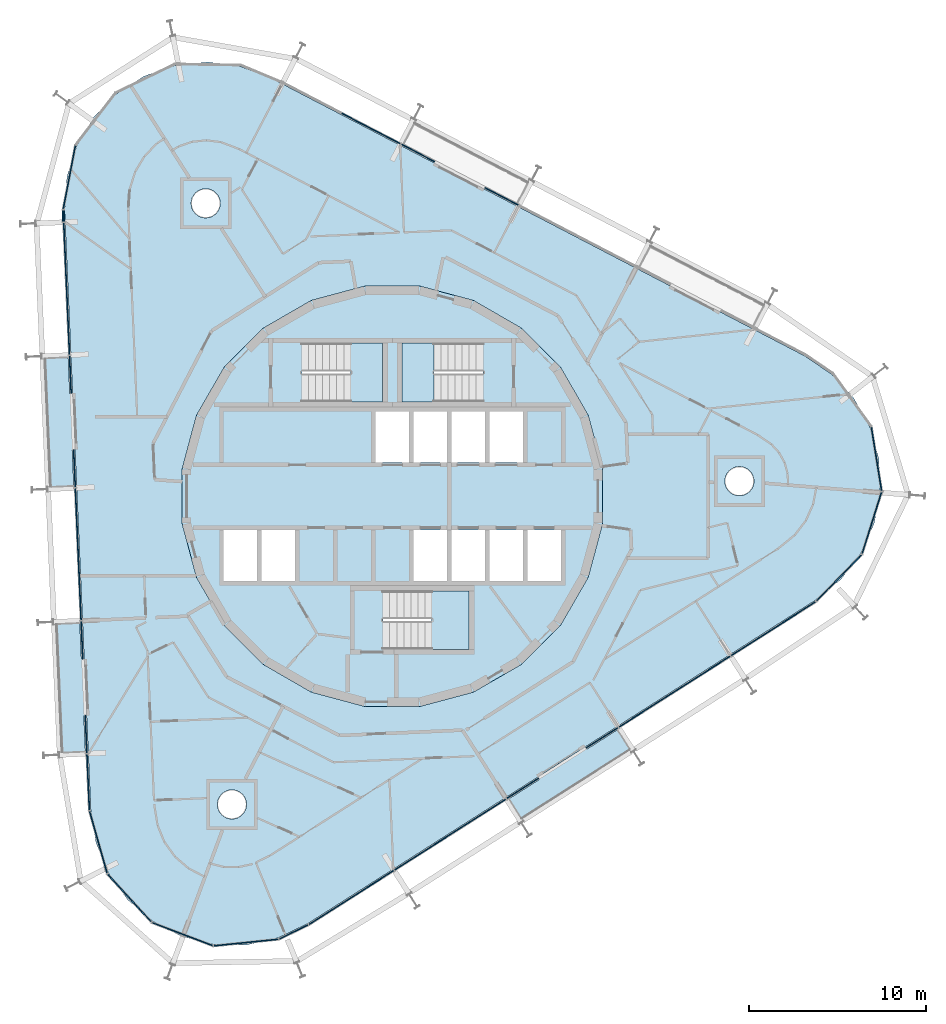
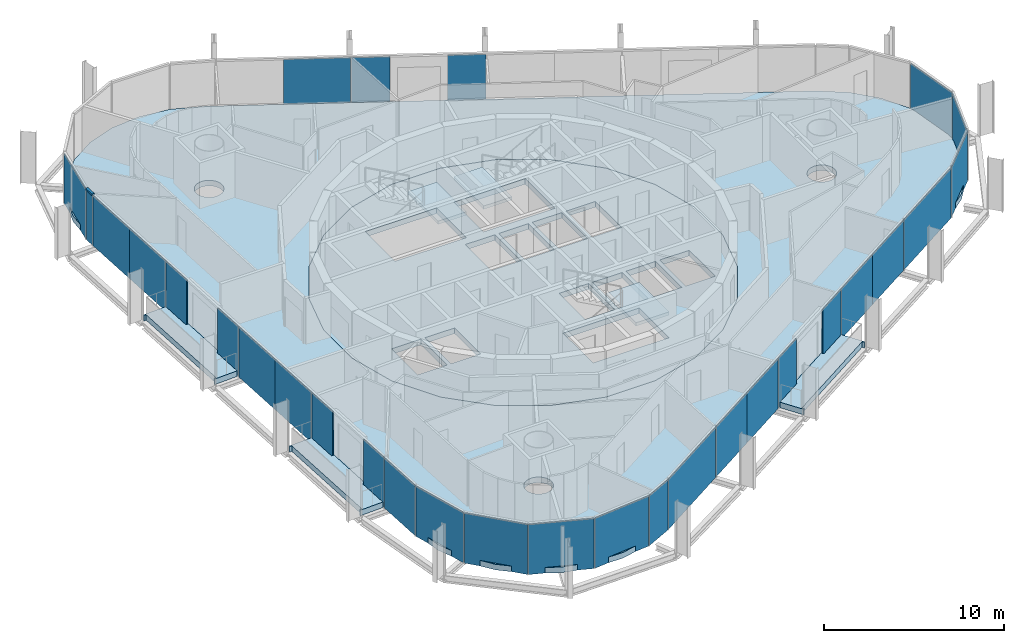
# One storey, part 10 of 18: 30 plates, 8 slabs, 1 member, 9 elements without a shape of their own.
"""IFC4 building model written with IfcOpenShell, lengths in metres."""

from ifc_helpers import new_model, si_unit, direction, frame, origin, origin_2d, place, context, subcontext, project, spatial, polyline, rectangle, outline, extrude, material, layer, layer_set, material_profile, profile_set, type_object, element, aggregate, save


model = new_model("IFC4")

# Units and contexts
model_context = context("Model", 3, precision=1e-05, world=origin(), true_north=direction((0.0, 1.0)))
body_context = subcontext(model_context, "Body", "Model", "MODEL_VIEW")
ifc_project = project(units=[si_unit("LENGTHUNIT", "METRE"), si_unit("AREAUNIT", "SQUARE_METRE"), si_unit("VOLUMEUNIT", "CUBIC_METRE"), si_unit("PLANEANGLEUNIT", "RADIAN"), si_unit("MASSUNIT", "GRAM", prefix="KILO")], contexts=[model_context])

# Site, building, storey
site_placement = place(None, origin())
site = spatial("IfcSite", under=ifc_project, at=site_placement, CompositionType="ELEMENT")
building_placement = place(site_placement, origin())
building = spatial("IfcBuilding", under=site, at=building_placement, Name="Spindle Arch Residences", CompositionType="ELEMENT")
storey_placement = place(building_placement, frame((0.0, 0.0, 251.199951171875)))
storey = spatial("IfcBuildingStorey", under=building, at=storey_placement, Name="L64", CompositionType="ELEMENT", Elevation=251.199951171875)

# Curtain wall, member
ifc_material_1 = material(Name="Aluminium bronze unitised frame with tinted glass", Category="aluminium")
ifc_layer_1 = layer(ifc_material_1, 0.159912109375)
ifc_layer_set_1 = layer_set([ifc_layer_1], Name="CW-D corner wall on the fillet arcs")
curtain_wall_type_1 = type_object("IfcCurtainWallType", Name="CW-D corner wall on the fillet arcs", PredefinedType="NOTDEFINED", material=ifc_layer_set_1)
curtain_wall_1_placement = place(storey_placement, origin())
curtain_wall_1 = element("IfcCurtainWall", 1, at=curtain_wall_1_placement, inside=storey, type_object=curtain_wall_type_1, Name="CW-D L64 run 3", PredefinedType="NOTDEFINED")
ifc_material_2 = material(Name="Aluminium bronze anodised transom", Category="aluminium")
ifc_material_profile = material_profile(ifc_material_2, rectangle(XDim=0.159912109375, YDim=0.1201171875, at=origin_2d()), Name="TR 120x160")
ifc_profile_set = profile_set([ifc_material_profile], Name="Aluminium bronze anodised transom")
member_type = type_object("IfcMemberType", Name="Bronze transom 120x160", PredefinedType="USERDEFINED", material=ifc_profile_set)
member_placement = place(storey_placement, frame((-18.638916015625, 16.2060546875, 3.06005859375), z_axis=(0.043372874815, -0.999058954081, 0.0), x_axis=(0.999058954081, 0.043372874815, 0.0)))
member = element("IfcMember", 2, at=member_placement, type_object=member_type, Name="CW-D transom 05", ObjectType="TRANSOM", PredefinedType="USERDEFINED", context=body_context, shape_type="SweptSolid", body=[
    extrude(rectangle(XDim=0.159912109375, YDim=0.1201171875, at=origin_2d()), origin(), (0.0, 0.0, 1.0), 0.65869140625),
])

# Slabs
ifc_material_3 = material(Name="Concrete C40/50", Category="concrete")
ifc_layer_2 = layer(ifc_material_3, 0.3798828125)
ifc_layer_set_2 = layer_set([ifc_layer_2], Name="Balcony slab 380")
slab_type_1 = type_object("IfcSlabType", Name="Balcony slab 380", PredefinedType="FLOOR", material=ifc_layer_set_2)
slab_1_placement = place(storey_placement, frame((0.0, 0.0, -0.3798828125)))
element("IfcSlab", 3, at=slab_1_placement, inside=storey, type_object=slab_type_1, Name="Balcony L64 bay 14", PredefinedType="FLOOR", context=body_context, shape_type="SweptSolid", body=[
    extrude(outline(polyline([(-19.845703125, 7.851806640625), (-19.842529296875, 7.777099609375), (-19.692626953125, 7.783447265625), (-19.377197265625, 0.560302734375), (-19.527099609375, 0.5537109375), (-19.52392578125, 0.478759765625), (-18.03515625, 0.5439453125), (-18.12646484375, 2.6318359375), (-17.966552734375, 2.638916015625), (-18.106201171875, 5.8359375), (-18.265869140625, 5.828857421875), (-18.357177734375, 7.9169921875), (-19.845703125, 7.851806640625)])), origin(), (0.0, 0.0, 1.0), 0.3798828125),
])
slab_2_placement = place(storey_placement, frame((0.0, 0.0, -0.3798828125)))
element("IfcSlab", 4, at=slab_2_placement, inside=storey, type_object=slab_type_1, Name="Balcony L64 bay 16", PredefinedType="FLOOR", context=body_context, shape_type="SweptSolid", body=[
    extrude(outline(polyline([(-19.188720703125, -7.19384765625), (-19.185546875, -7.268798828125), (-19.03564453125, -7.26220703125), (-18.72021484375, -14.485595703125), (-18.8701171875, -14.491943359375), (-18.866943359375, -14.56689453125), (-17.37841796875, -14.501953125), (-17.469482421875, -12.413818359375), (-17.3095703125, -12.406982421875), (-17.44921875, -9.2099609375), (-17.609130859375, -9.217041015625), (-17.7001953125, -7.12890625), (-19.188720703125, -7.19384765625)])), origin(), (0.0, 0.0, 1.0), 0.3798828125),
])
slab_3_placement = place(storey_placement, frame((0.0, 0.0, -0.3798828125)))
element("IfcSlab", 5, at=slab_3_placement, inside=storey, type_object=slab_type_1, Name="Balcony L64 bay 22", PredefinedType="FLOOR", context=body_context, shape_type="SweptSolid", body=[
    extrude(outline(polyline([(7.356689453125, -18.41552734375), (7.419921875, -18.375244140625), (7.33935546875, -18.248779296875), (13.437255859375, -14.364013671875), (13.517822265625, -14.490478515625), (13.5810546875, -14.4501953125), (12.780517578125, -13.193603515625), (11.017822265625, -14.316650390625), (10.931884765625, -14.181640625), (8.23291015625, -15.901123046875), (8.31884765625, -16.035888671875), (6.55615234375, -17.158935546875), (7.356689453125, -18.41552734375)])), origin(), (0.0, 0.0, 1.0), 0.3798828125),
])
ifc_material_4 = material(Name="Concrete C50/60", Category="concrete")
ifc_layer_3 = layer(ifc_material_4, 0.3798828125)
ifc_layer_set_3 = layer_set([ifc_layer_3], Name="Core floor slab 380")
slab_type_2 = type_object("IfcSlabType", Name="Core floor slab 380", PredefinedType="FLOOR", material=ifc_layer_set_3)
slab_4_placement = place(storey_placement, frame((0.0, 0.0, -0.3798828125)))
element("IfcSlab", 6, at=slab_4_placement, inside=storey, type_object=slab_type_2, Name="Core floor L64", PredefinedType="FLOOR", context=body_context, shape_type="SweptSolid", body=[
    extrude(outline(polyline([(1.56640625, -11.897216796875), (4.59228515625, -11.086669921875), (7.30517578125, -9.520263671875), (9.520263671875, -7.30517578125), (11.086669921875, -4.59228515625), (11.897216796875, -1.56640625), (11.897216796875, 1.56640625), (11.086669921875, 4.59228515625), (9.520263671875, 7.30517578125), (7.30517578125, 9.520263671875), (4.59228515625, 11.086669921875), (1.56640625, 11.897216796875), (-1.56640625, 11.897216796875), (-4.59228515625, 11.086669921875), (-7.30517578125, 9.520263671875), (-9.520263671875, 7.30517578125), (-11.086669921875, 4.59228515625), (-11.897216796875, 1.56640625), (-11.897216796875, -1.56640625), (-11.086669921875, -4.59228515625), (-9.520263671875, -7.30517578125), (-7.30517578125, -9.520263671875), (-4.59228515625, -11.086669921875), (-1.56640625, -11.897216796875), (1.56640625, -11.897216796875)]), holes=[polyline([(-0.949951171875, 1.89990234375), (0.949951171875, 1.89990234375), (0.949951171875, 4.800048828125), (-0.949951171875, 4.800048828125), (-0.949951171875, 1.89990234375)]), polyline([(1.199951171875, 1.89990234375), (3.10009765625, 1.89990234375), (3.10009765625, 4.800048828125), (1.199951171875, 4.800048828125), (1.199951171875, 1.89990234375)]), polyline([(3.35009765625, 1.89990234375), (5.25, 1.89990234375), (5.25, 4.800048828125), (3.35009765625, 4.800048828125), (3.35009765625, 1.89990234375)]), polyline([(5.5, 1.89990234375), (7.39990234375, 1.89990234375), (7.39990234375, 4.800048828125), (5.5, 4.800048828125), (5.5, 1.89990234375)]), polyline([(-9.550048828125, -4.800048828125), (-7.64990234375, -4.800048828125), (-7.64990234375, -1.89990234375), (-9.550048828125, -1.89990234375), (-9.550048828125, -4.800048828125)]), polyline([(-7.39990234375, -4.800048828125), (-5.5, -4.800048828125), (-5.5, -1.89990234375), (-7.39990234375, -1.89990234375), (-7.39990234375, -4.800048828125)]), polyline([(1.199951171875, -4.800048828125), (3.10009765625, -4.800048828125), (3.10009765625, -1.89990234375), (1.199951171875, -1.89990234375), (1.199951171875, -4.800048828125)]), polyline([(3.35009765625, -4.800048828125), (5.25, -4.800048828125), (5.25, -1.89990234375), (3.35009765625, -1.89990234375), (3.35009765625, -4.800048828125)]), polyline([(5.5, -4.800048828125), (7.39990234375, -4.800048828125), (7.39990234375, -1.89990234375), (5.5, -1.89990234375), (5.5, -4.800048828125)]), polyline([(7.64990234375, -4.800048828125), (9.550048828125, -4.800048828125), (9.550048828125, -1.89990234375), (7.64990234375, -1.89990234375), (7.64990234375, -4.800048828125)]), polyline([(5.1298828125, 8.669921875), (0.550048828125, 8.669921875), (0.550048828125, 5.35009765625), (5.1298828125, 5.35009765625), (5.1298828125, 8.669921875)]), polyline([(-5.1298828125, 5.35009765625), (-0.550048828125, 5.35009765625), (-0.550048828125, 8.669921875), (-5.1298828125, 8.669921875), (-5.1298828125, 5.35009765625)]), polyline([(-0.530029296875, -8.669921875), (4.35009765625, -8.669921875), (4.35009765625, -5.35009765625), (-0.530029296875, -5.35009765625), (-0.530029296875, -8.669921875)])]), origin(), (0.0, 0.0, 1.0), 0.3798828125),
])

# Stair, slab
ifc_material_5 = material(Name="Concrete C50/60", Category="concrete")
stair_type = type_object("IfcStairType", Name="Exit stair 16 risers", PredefinedType="HALF_TURN_STAIR", material=ifc_material_5)
stair_1_placement = place(storey_placement, origin())
stair_1 = element("IfcStair", 7, at=stair_1_placement, inside=storey, type_object=stair_type, Name="L64 Exit stair ST1", PredefinedType="HALF_TURN_STAIR")
ifc_material_6 = material(Name="Concrete C50/60", Category="concrete")
ifc_layer_4 = layer(ifc_material_6, 0.219970703125)
ifc_layer_set_4 = layer_set([ifc_layer_4], Name="Exit stair landing 220")
slab_type_3 = type_object("IfcSlabType", Name="Exit stair landing 220", PredefinedType="LANDING", material=ifc_layer_set_4)
slab_5_placement = place(storey_placement, frame((0.0, 0.0, 1.530029296875)))
slab_5 = element("IfcSlab", 8, at=slab_5_placement, type_object=slab_type_3, Name="ST1 landing 1", PredefinedType="LANDING", context=body_context, shape_type="SweptSolid", body=[
    extrude(outline(polyline([(2.3701171875, 8.669921875), (0.550048828125, 8.669921875), (0.550048828125, 5.35009765625), (2.3701171875, 5.35009765625), (2.3701171875, 8.669921875)])), origin(), (0.0, 0.0, 1.0), 0.219970703125),
])
aggregate(stair_1, [slab_5])

stair_2_placement = place(storey_placement, origin())
stair_2 = element("IfcStair", 9, at=stair_2_placement, inside=storey, type_object=stair_type, Name="L64 Exit stair ST2", PredefinedType="HALF_TURN_STAIR")
slab_6_placement = place(storey_placement, frame((0.0, 0.0, 1.530029296875)))
slab_6 = element("IfcSlab", 10, at=slab_6_placement, type_object=slab_type_3, Name="ST2 landing 1", PredefinedType="LANDING", context=body_context, shape_type="SweptSolid", body=[
    extrude(outline(polyline([(-2.3701171875, 5.35009765625), (-0.550048828125, 5.35009765625), (-0.550048828125, 8.669921875), (-2.3701171875, 8.669921875), (-2.3701171875, 5.35009765625)])), origin(), (0.0, 0.0, 1.0), 0.219970703125),
])
aggregate(stair_2, [slab_6])

stair_3_placement = place(storey_placement, origin())
stair_3 = element("IfcStair", 11, at=stair_3_placement, inside=storey, type_object=stair_type, Name="L64 Exit stair ST3", PredefinedType="HALF_TURN_STAIR")
slab_7_placement = place(storey_placement, frame((0.0, 0.0, 1.530029296875)))
slab_7 = element("IfcSlab", 12, at=slab_7_placement, type_object=slab_type_3, Name="ST3 landing 1", PredefinedType="LANDING", context=body_context, shape_type="SweptSolid", body=[
    extrude(outline(polyline([(2.22998046875, -8.669921875), (4.35009765625, -8.669921875), (4.35009765625, -5.35009765625), (2.22998046875, -5.35009765625), (2.22998046875, -8.669921875)])), origin(), (0.0, 0.0, 1.0), 0.219970703125),
])
aggregate(stair_3, [slab_7])

# Slab
ifc_material_7 = material(Name="Concrete C40/50", Category="concrete")
ifc_layer_5 = layer(ifc_material_7, 0.3798828125)
ifc_layer_set_5 = layer_set([ifc_layer_5], Name="Floor slab 380")
slab_type_4 = type_object("IfcSlabType", Name="Floor slab 380", PredefinedType="FLOOR", material=ifc_layer_set_5)
slab_8_placement = place(storey_placement, frame((0.0, 0.0, -0.3798828125)))
element("IfcSlab", 13, at=slab_8_placement, inside=storey, type_object=slab_type_4, Name="Floor slab L64", PredefinedType="FLOOR", context=body_context, shape_type="SweptSolid", body=[
    extrude(outline(polyline([(-6.45556640625, -25.0029296875), (-8.268798828125, -25.40478515625), (-10.126220703125, -25.3779296875), (-11.92724609375, -24.92333984375), (-13.57470703125, -24.065673828125), (-14.980224609375, -22.85107421875), (-16.067626953125, -21.34521484375), (-16.778564453125, -19.629150390625), (-17.074462890625, -17.79541015625), (-18.560302734375, 16.239501953125), (-18.42529296875, 18.092041015625), (-17.866943359375, 19.863525390625), (-16.914794921875, 21.45849609375), (-15.62060546875, 22.791015625), (-14.053955078125, 23.788818359375), (-12.299560546875, 24.398681640625), (-10.45166015625, 24.587646484375), (-8.610107421875, 24.34521484375), (-6.8740234375, 23.6845703125), (23.343994140625, 7.9541015625), (24.880859375, 6.910888671875), (26.1357421875, 5.54150390625), (27.041015625, 3.91943359375), (27.5478515625, 2.13232421875), (27.62890625, 0.276611328125), (27.27978515625, -1.547607421875), (26.519287109375, -3.242431640625), (25.388427734375, -4.716064453125), (23.948486328125, -5.88916015625), (9.58251953125, -15.041259765625), (-4.78369140625, -24.193603515625), (-6.45556640625, -25.0029296875)]), holes=[polyline([(7.30517578125, -9.520263671875), (9.520263671875, -7.30517578125), (11.086669921875, -4.59228515625), (11.897216796875, -1.56640625), (11.897216796875, 1.56640625), (11.086669921875, 4.59228515625), (9.520263671875, 7.30517578125), (7.30517578125, 9.520263671875), (4.59228515625, 11.086669921875), (1.56640625, 11.897216796875), (-1.56640625, 11.897216796875), (-4.59228515625, 11.086669921875), (-7.30517578125, 9.520263671875), (-9.520263671875, 7.30517578125), (-11.086669921875, 4.59228515625), (-11.897216796875, 1.56640625), (-11.897216796875, -1.56640625), (-11.086669921875, -4.59228515625), (-9.520263671875, -7.30517578125), (-7.30517578125, -9.520263671875), (-4.59228515625, -11.086669921875), (-1.56640625, -11.897216796875), (1.56640625, -11.897216796875), (4.59228515625, -11.086669921875), (7.30517578125, -9.520263671875)]), polyline([(-8.39599609375, -17.904541015625), (-8.31982421875, -17.761962890625), (-8.27294921875, -17.607177734375), (-8.257080078125, -17.4462890625), (-8.27294921875, -17.285400390625), (-8.31982421875, -17.130615234375), (-8.39599609375, -16.988037109375), (-8.49853515625, -16.86279296875), (-8.623779296875, -16.76025390625), (-8.766357421875, -16.68408203125), (-8.921142578125, -16.63720703125), (-9.08203125, -16.621337890625), (-9.242919921875, -16.63720703125), (-9.397705078125, -16.68408203125), (-9.540283203125, -16.76025390625), (-9.665283203125, -16.86279296875), (-9.76806640625, -16.988037109375), (-9.84423828125, -17.130615234375), (-9.89111328125, -17.285400390625), (-9.906982421875, -17.4462890625), (-9.89111328125, -17.607177734375), (-9.84423828125, -17.761962890625), (-9.76806640625, -17.904541015625), (-9.665283203125, -18.02978515625), (-9.540283203125, -18.13232421875), (-9.397705078125, -18.20849609375), (-9.242919921875, -18.25537109375), (-9.08203125, -18.271240234375), (-8.921142578125, -18.25537109375), (-8.766357421875, -18.20849609375), (-8.623779296875, -18.13232421875), (-8.49853515625, -18.02978515625), (-8.39599609375, -17.904541015625)]), polyline([(-9.882080078125, 16.130126953125), (-9.805908203125, 16.272705078125), (-9.7587890625, 16.427490234375), (-9.742919921875, 16.58837890625), (-9.7587890625, 16.749267578125), (-9.805908203125, 16.904052734375), (-9.882080078125, 17.046630859375), (-9.984619140625, 17.171875), (-10.109619140625, 17.2744140625), (-10.252197265625, 17.3505859375), (-10.406982421875, 17.3974609375), (-10.568115234375, 17.413330078125), (-10.72900390625, 17.3974609375), (-10.8837890625, 17.3505859375), (-11.0263671875, 17.2744140625), (-11.1513671875, 17.171875), (-11.25390625, 17.046630859375), (-11.330078125, 16.904052734375), (-11.377197265625, 16.749267578125), (-11.39306640625, 16.58837890625), (-11.377197265625, 16.427490234375), (-11.330078125, 16.272705078125), (-11.25390625, 16.130126953125), (-11.1513671875, 16.0048828125), (-11.0263671875, 15.90234375), (-10.8837890625, 15.826171875), (-10.72900390625, 15.779296875), (-10.568115234375, 15.763427734375), (-10.406982421875, 15.779296875), (-10.252197265625, 15.826171875), (-10.109619140625, 15.90234375), (-9.984619140625, 16.0048828125), (-9.882080078125, 16.130126953125)]), polyline([(20.2333984375, 0.2744140625), (20.3359375, 0.399658203125), (20.412109375, 0.542236328125), (20.458984375, 0.697021484375), (20.47509765625, 0.85791015625), (20.458984375, 1.018798828125), (20.412109375, 1.173583984375), (20.3359375, 1.316162109375), (20.2333984375, 1.44140625), (20.1083984375, 1.5439453125), (19.9658203125, 1.6201171875), (19.810791015625, 1.6669921875), (19.64990234375, 1.682861328125), (19.489013671875, 1.6669921875), (19.334228515625, 1.6201171875), (19.191650390625, 1.5439453125), (19.066650390625, 1.44140625), (18.964111328125, 1.316162109375), (18.8876953125, 1.173583984375), (18.8408203125, 1.018798828125), (18.824951171875, 0.85791015625), (18.8408203125, 0.697021484375), (18.8876953125, 0.542236328125), (18.964111328125, 0.399658203125), (19.066650390625, 0.2744140625), (19.191650390625, 0.171875), (19.334228515625, 0.095703125), (19.489013671875, 0.048828125), (19.64990234375, 0.032958984375), (19.810791015625, 0.048828125), (19.9658203125, 0.095703125), (20.1083984375, 0.171875), (20.2333984375, 0.2744140625)])]), origin(), (0.0, 0.0, 1.0), 0.3798828125),
])

# Curtain wall, plates
curtain_wall_2_placement = place(storey_placement, origin())
curtain_wall_2 = element("IfcCurtainWall", 14, at=curtain_wall_2_placement, inside=storey, type_object=curtain_wall_type_1, Name="CW-D L64 run 1", PredefinedType="NOTDEFINED")
ifc_material_8 = material(Name="Tinted double glazing over aluminium faced non-combustible spandrel zone (K0)", Category="aluminium")
ifc_layer_6 = layer(ifc_material_8, 0.06005859375)
ifc_layer_set_6 = layer_set([ifc_layer_6], Name="Unitised glass panel with E 60 spandrel zone")
plate_type = type_object("IfcPlateType", Name="Unitised glass panel with E 60 spandrel zone", PredefinedType="CURTAIN_PANEL", material=ifc_layer_set_6)
plate_1_placement = place(storey_placement, frame((21.571533203125, -7.498291015625, -0.3798828125), z_axis=(0.0, 0.0, 1.0), x_axis=(0.843391445813, 0.537299608347, 0.0)))
plate_1 = element("IfcPlate", 15, at=plate_1_placement, type_object=plate_type, Name="CW-D unit 00", PredefinedType="CURTAIN_PANEL", context=body_context, shape_type="SweptSolid", body=[
    extrude(rectangle(XDim=5.678466796875, YDim=0.06005859375, at=origin_2d()), origin(), (0.0, 0.0, 1.0), 3.3798828125),
])
plate_2_placement = place(storey_placement, frame((25.28955078125, -4.6201171875, -0.3798828125), z_axis=(0.0, 0.0, 1.0), x_axis=(0.696747904692, 0.71731607908, 0.0)))
plate_2 = element("IfcPlate", 16, at=plate_2_placement, type_object=plate_type, Name="CW-D unit 01", PredefinedType="CURTAIN_PANEL", context=body_context, shape_type="SweptSolid", body=[
    extrude(rectangle(XDim=3.666748046875, YDim=0.06005859375, at=origin_2d()), origin(), (0.0, 0.0, 1.0), 3.3798828125),
])
plate_3_placement = place(storey_placement, frame((27.148193359375, -1.50634765625, -0.3798828125), z_axis=(0.0, 0.0, 1.0), x_axis=(0.300705803932, 0.953716949352, 0.0)))
plate_3 = element("IfcPlate", 17, at=plate_3_placement, type_object=plate_type, Name="CW-D unit 02", PredefinedType="CURTAIN_PANEL", context=body_context, shape_type="SweptSolid", body=[
    extrude(rectangle(XDim=3.666748046875, YDim=0.06005859375, at=origin_2d()), origin(), (0.0, 0.0, 1.0), 3.3798828125),
])
plate_4_placement = place(storey_placement, frame((27.411865234375, 2.1103515625, -0.3798828125), z_axis=(0.0, 0.0, 1.0), x_axis=(-0.15930686075, 0.987229114298, 0.0)))
plate_4 = element("IfcPlate", 18, at=plate_4_placement, type_object=plate_type, Name="CW-D unit 03", PredefinedType="CURTAIN_PANEL", context=body_context, shape_type="SweptSolid", body=[
    extrude(rectangle(XDim=3.666748046875, YDim=0.06005859375, at=origin_2d()), origin(), (0.0, 0.0, 1.0), 3.3798828125),
])
aggregate(curtain_wall_2, [plate_1, plate_2, plate_3, plate_4])

ifc_material_9 = material(Name="Aluminium bronze unitised frame with tinted glass", Category="aluminium")
ifc_layer_7 = layer(ifc_material_9, 0.159912109375)
ifc_layer_set_7 = layer_set([ifc_layer_7], Name="CW-C typical residential unitised wall")
curtain_wall_type_2 = type_object("IfcCurtainWallType", Name="CW-C typical residential unitised wall", PredefinedType="NOTDEFINED", material=ifc_layer_set_7)
curtain_wall_3_placement = place(storey_placement, origin())
curtain_wall_3 = element("IfcCurtainWall", 19, at=curtain_wall_3_placement, inside=storey, type_object=curtain_wall_type_2, Name="CW-C L64 run 2", PredefinedType="NOTDEFINED")
plate_5_placement = place(storey_placement, frame((6.185302734375, 16.9765625, -0.3798828125), z_axis=(0.0, 0.0, 1.0), x_axis=(-0.887010833178, 0.461748613235, 0.0)))
plate_5 = element("IfcPlate", 20, at=plate_5_placement, type_object=plate_type, Name="CW-C unit 07L", PredefinedType="CURTAIN_PANEL", context=body_context, shape_type="SweptSolid", body=[
    extrude(rectangle(XDim=2.135009765625, YDim=0.06005859375, at=origin_2d()), origin(), (0.0, 0.0, 1.0), 3.3798828125),
])
plate_6_placement = place(storey_placement, frame((1.452880859375, 19.43994140625, -0.3798828125), z_axis=(0.0, 0.0, 1.0), x_axis=(-0.887010833178, 0.461748613235, 0.0)))
plate_6 = element("IfcPlate", 21, at=plate_6_placement, type_object=plate_type, Name="CW-C unit 07R", PredefinedType="CURTAIN_PANEL", context=body_context, shape_type="SweptSolid", body=[
    extrude(rectangle(XDim=2.135009765625, YDim=0.06005859375, at=origin_2d()), origin(), (0.0, 0.0, 1.0), 3.3798828125),
])
plate_7_placement = place(storey_placement, frame((-1.20361328125, 20.822998046875, -0.3798828125), z_axis=(0.0, 0.0, 1.0), x_axis=(-0.887010833178, 0.461748613235, 0.0)))
plate_7 = element("IfcPlate", 22, at=plate_7_placement, type_object=plate_type, Name="CW-C unit 08A", PredefinedType="CURTAIN_PANEL", context=body_context, shape_type="SweptSolid", body=[
    extrude(rectangle(XDim=3.735107421875, YDim=0.06005859375, at=origin_2d()), origin(), (0.0, 0.0, 1.0), 3.3798828125),
])
aggregate(curtain_wall_3, [plate_5, plate_6, plate_7])

# Plate
plate_8_placement = place(storey_placement, frame((-18.2900390625, 18.066162109375, -0.3798828125), z_axis=(0.0, 0.0, 1.0), x_axis=(-0.187952756314, -0.982178070104, 0.0)))
plate_8 = element("IfcPlate", 23, at=plate_8_placement, type_object=plate_type, Name="CW-D unit 04", PredefinedType="CURTAIN_PANEL", context=body_context, shape_type="SweptSolid", body=[
    extrude(rectangle(XDim=3.666748046875, YDim=0.06005859375, at=origin_2d()), origin(), (0.0, 0.0, 1.0), 3.3798828125),
])

plate_9_placement = place(storey_placement, frame((-18.62451171875, 15.877197265625, -0.3798828125), z_axis=(0.0, 0.0, 1.0), x_axis=(0.043619387365, -0.999048221582, 0.0)))
plate_9 = element("IfcPlate", 24, at=plate_9_placement, type_object=plate_type, Name="CW-D unit 05", PredefinedType="CURTAIN_PANEL", context=body_context, shape_type="SweptSolid", body=[
    extrude(rectangle(XDim=0.658447265625, YDim=0.06005859375, at=origin_2d()), origin(), (0.0, 0.0, 1.0), 3.3798828125),
])

aggregate(curtain_wall_1, [plate_8, member, plate_9])

# Curtain wall, plates
curtain_wall_4_placement = place(storey_placement, origin())
curtain_wall_4 = element("IfcCurtainWall", 25, at=curtain_wall_4_placement, inside=storey, type_object=curtain_wall_type_2, Name="CW-C L64 run 4", PredefinedType="NOTDEFINED")
plate_10_placement = place(storey_placement, frame((-18.526123046875, 13.62255859375, -0.3798828125), z_axis=(0.0, 0.0, 1.0), x_axis=(0.043619387365, -0.999048221582, 0.0)))
plate_10 = element("IfcPlate", 26, at=plate_10_placement, type_object=plate_type, Name="CW-C unit 12A", PredefinedType="CURTAIN_PANEL", context=body_context, shape_type="SweptSolid", body=[
    extrude(rectangle(XDim=3.735107421875, YDim=0.06005859375, at=origin_2d()), origin(), (0.0, 0.0, 1.0), 3.3798828125),
])
plate_11_placement = place(storey_placement, frame((-18.36328125, 9.89111328125, -0.3798828125), z_axis=(0.0, 0.0, 1.0), x_axis=(0.043619387365, -0.999048221582, 0.0)))
plate_11 = element("IfcPlate", 27, at=plate_11_placement, type_object=plate_type, Name="CW-C unit 12B", PredefinedType="CURTAIN_PANEL", context=body_context, shape_type="SweptSolid", body=[
    extrude(rectangle(XDim=3.735107421875, YDim=0.06005859375, at=origin_2d()), origin(), (0.0, 0.0, 1.0), 3.3798828125),
])
plate_12_placement = place(storey_placement, frame((-18.232666015625, 6.89892578125, -0.3798828125), z_axis=(0.0, 0.0, 1.0), x_axis=(0.043619387365, -0.999048221582, 0.0)))
plate_12 = element("IfcPlate", 28, at=plate_12_placement, type_object=plate_type, Name="CW-C unit 13L", PredefinedType="CURTAIN_PANEL", context=body_context, shape_type="SweptSolid", body=[
    extrude(rectangle(XDim=2.135009765625, YDim=0.06005859375, at=origin_2d()), origin(), (0.0, 0.0, 1.0), 3.3798828125),
])
plate_13_placement = place(storey_placement, frame((-18.0, 1.56884765625, -0.3798828125), z_axis=(0.0, 0.0, 1.0), x_axis=(0.043619387365, -0.999048221582, 0.0)))
plate_13 = element("IfcPlate", 29, at=plate_13_placement, type_object=plate_type, Name="CW-C unit 13R", PredefinedType="CURTAIN_PANEL", context=body_context, shape_type="SweptSolid", body=[
    extrude(rectangle(XDim=2.135009765625, YDim=0.06005859375, at=origin_2d()), origin(), (0.0, 0.0, 1.0), 3.3798828125),
])
plate_14_placement = place(storey_placement, frame((-17.869384765625, -1.42333984375, -0.3798828125), z_axis=(0.0, 0.0, 1.0), x_axis=(0.043619387365, -0.999048221582, 0.0)))
plate_14 = element("IfcPlate", 30, at=plate_14_placement, type_object=plate_type, Name="CW-C unit 14A", PredefinedType="CURTAIN_PANEL", context=body_context, shape_type="SweptSolid", body=[
    extrude(rectangle(XDim=3.735107421875, YDim=0.06005859375, at=origin_2d()), origin(), (0.0, 0.0, 1.0), 3.3798828125),
])
plate_15_placement = place(storey_placement, frame((-17.706298828125, -5.15478515625, -0.3798828125), z_axis=(0.0, 0.0, 1.0), x_axis=(0.043619387365, -0.999048221582, 0.0)))
plate_15 = element("IfcPlate", 31, at=plate_15_placement, type_object=plate_type, Name="CW-C unit 14B", PredefinedType="CURTAIN_PANEL", context=body_context, shape_type="SweptSolid", body=[
    extrude(rectangle(XDim=3.735107421875, YDim=0.06005859375, at=origin_2d()), origin(), (0.0, 0.0, 1.0), 3.3798828125),
])
plate_16_placement = place(storey_placement, frame((-17.57568359375, -8.14697265625, -0.3798828125), z_axis=(0.0, 0.0, 1.0), x_axis=(0.043619387365, -0.999048221582, 0.0)))
plate_16 = element("IfcPlate", 32, at=plate_16_placement, type_object=plate_type, Name="CW-C unit 15L", PredefinedType="CURTAIN_PANEL", context=body_context, shape_type="SweptSolid", body=[
    extrude(rectangle(XDim=2.135009765625, YDim=0.06005859375, at=origin_2d()), origin(), (0.0, 0.0, 1.0), 3.3798828125),
])
plate_17_placement = place(storey_placement, frame((-17.343017578125, -13.47705078125, -0.3798828125), z_axis=(0.0, 0.0, 1.0), x_axis=(0.043619387365, -0.999048221582, 0.0)))
plate_17 = element("IfcPlate", 33, at=plate_17_placement, type_object=plate_type, Name="CW-C unit 15R", PredefinedType="CURTAIN_PANEL", context=body_context, shape_type="SweptSolid", body=[
    extrude(rectangle(XDim=2.135009765625, YDim=0.06005859375, at=origin_2d()), origin(), (0.0, 0.0, 1.0), 3.3798828125),
])
aggregate(curtain_wall_4, [plate_10, plate_11, plate_12, plate_13, plate_14, plate_15, plate_16, plate_17])

curtain_wall_5_placement = place(storey_placement, origin())
curtain_wall_5 = element("IfcCurtainWall", 34, at=curtain_wall_5_placement, inside=storey, type_object=curtain_wall_type_1, Name="CW-D L64 run 5", PredefinedType="NOTDEFINED")
plate_18_placement = place(storey_placement, frame((-17.224609375, -16.18603515625, -0.3798828125), z_axis=(0.0, 0.0, 1.0), x_axis=(0.043619387365, -0.999048221582, 0.0)))
plate_18 = element("IfcPlate", 35, at=plate_18_placement, type_object=plate_type, Name="CW-D unit 00", PredefinedType="CURTAIN_PANEL", context=body_context, shape_type="SweptSolid", body=[
    extrude(rectangle(XDim=3.16845703125, YDim=0.06005859375, at=origin_2d()), origin(), (0.0, 0.0, 1.0), 3.3798828125),
])
plate_19_placement = place(storey_placement, frame((-16.64599609375, -19.591552734375, -0.3798828125), z_axis=(0.0, 0.0, 1.0), x_axis=(0.272839997585, -0.962059424213, 0.0)))
plate_19 = element("IfcPlate", 36, at=plate_19_placement, type_object=plate_type, Name="CW-D unit 01", PredefinedType="CURTAIN_PANEL", context=body_context, shape_type="SweptSolid", body=[
    extrude(rectangle(XDim=3.666748046875, YDim=0.06005859375, at=origin_2d()), origin(), (0.0, 0.0, 1.0), 3.3798828125),
])
plate_20_placement = place(storey_placement, frame((-14.878662109375, -22.758056640625, -0.3798828125), z_axis=(0.0, 0.0, 1.0), x_axis=(0.675590207538, -0.737277336881, 0.0)))
plate_20 = element("IfcPlate", 37, at=plate_20_placement, type_object=plate_type, Name="CW-D unit 02", PredefinedType="CURTAIN_PANEL", context=body_context, shape_type="SweptSolid", body=[
    extrude(rectangle(XDim=3.666748046875, YDim=0.06005859375, at=origin_2d()), origin(), (0.0, 0.0, 1.0), 3.3798828125),
])
plate_21_placement = place(storey_placement, frame((-11.878173828125, -24.79443359375, -0.3798828125), z_axis=(0.0, 0.0, 1.0), x_axis=(0.934618925661, -0.355650760994, 0.0)))
plate_21 = element("IfcPlate", 38, at=plate_21_placement, type_object=plate_type, Name="CW-D unit 03", PredefinedType="CURTAIN_PANEL", context=body_context, shape_type="SweptSolid", body=[
    extrude(rectangle(XDim=3.666748046875, YDim=0.06005859375, at=origin_2d()), origin(), (0.0, 0.0, 1.0), 3.3798828125),
])
plate_22_placement = place(storey_placement, frame((-8.282958984375, -25.267822265625, -0.3798828125), z_axis=(0.0, 0.0, 1.0), x_axis=(0.994821748016, 0.10163508092, 0.0)))
plate_22 = element("IfcPlate", 39, at=plate_22_placement, type_object=plate_type, Name="CW-D unit 04", PredefinedType="CURTAIN_PANEL", context=body_context, shape_type="SweptSolid", body=[
    extrude(rectangle(XDim=3.666748046875, YDim=0.06005859375, at=origin_2d()), origin(), (0.0, 0.0, 1.0), 3.3798828125),
])
plate_23_placement = place(storey_placement, frame((-5.5849609375, -24.669677734375, -0.3798828125), z_axis=(0.0, 0.0, 1.0), x_axis=(0.900065409973, 0.435754813823, 0.0)))
plate_23 = element("IfcPlate", 40, at=plate_23_placement, type_object=plate_type, Name="CW-D unit 05", PredefinedType="CURTAIN_PANEL", context=body_context, shape_type="SweptSolid", body=[
    extrude(rectangle(XDim=1.816162109375, YDim=0.06005859375, at=origin_2d()), origin(), (0.0, 0.0, 1.0), 3.3798828125),
])
plate_24_placement = place(storey_placement, frame((-2.32080078125, -22.71923828125, -0.3798828125), z_axis=(0.0, 0.0, 1.0), x_axis=(0.843391445813, 0.537299608347, 0.0)))
plate_24 = element("IfcPlate", 41, at=plate_24_placement, type_object=plate_type, Name="CW-D unit 06", PredefinedType="CURTAIN_PANEL", context=body_context, shape_type="SweptSolid", body=[
    extrude(rectangle(XDim=5.678466796875, YDim=0.06005859375, at=origin_2d()), origin(), (0.0, 0.0, 1.0), 3.3798828125),
])
aggregate(curtain_wall_5, [plate_18, plate_19, plate_20, plate_21, plate_22, plate_23, plate_24])

curtain_wall_6_placement = place(storey_placement, origin())
curtain_wall_6 = element("IfcCurtainWall", 42, at=curtain_wall_6_placement, inside=storey, type_object=curtain_wall_type_2, Name="CW-C L64 run 6", PredefinedType="NOTDEFINED")
plate_25_placement = place(storey_placement, frame((1.699462890625, -20.158203125, -0.3798828125), z_axis=(0.0, 0.0, 1.0), x_axis=(0.843391445813, 0.537299608347, 0.0)))
plate_25 = element("IfcPlate", 43, at=plate_25_placement, type_object=plate_type, Name="CW-C unit 20A", PredefinedType="CURTAIN_PANEL", context=body_context, shape_type="SweptSolid", body=[
    extrude(rectangle(XDim=3.735107421875, YDim=0.06005859375, at=origin_2d()), origin(), (0.0, 0.0, 1.0), 3.3798828125),
])
plate_26_placement = place(storey_placement, frame((4.849609375, -18.1513671875, -0.3798828125), z_axis=(0.0, 0.0, 1.0), x_axis=(0.843391445813, 0.537299608347, 0.0)))
plate_26 = element("IfcPlate", 44, at=plate_26_placement, type_object=plate_type, Name="CW-C unit 20B", PredefinedType="CURTAIN_PANEL", context=body_context, shape_type="SweptSolid", body=[
    extrude(rectangle(XDim=3.735107421875, YDim=0.06005859375, at=origin_2d()), origin(), (0.0, 0.0, 1.0), 3.3798828125),
])
plate_27_placement = place(storey_placement, frame((7.37548828125, -16.5419921875, -0.3798828125), z_axis=(0.0, 0.0, 1.0), x_axis=(0.843391445813, 0.537299608347, 0.0)))
plate_27 = element("IfcPlate", 45, at=plate_27_placement, type_object=plate_type, Name="CW-C unit 21L", PredefinedType="CURTAIN_PANEL", context=body_context, shape_type="SweptSolid", body=[
    extrude(rectangle(XDim=2.135009765625, YDim=0.06005859375, at=origin_2d()), origin(), (0.0, 0.0, 1.0), 3.3798828125),
])
plate_28_placement = place(storey_placement, frame((11.875244140625, -13.675537109375, -0.3798828125), z_axis=(0.0, 0.0, 1.0), x_axis=(0.843391445813, 0.537299608347, 0.0)))
plate_28 = element("IfcPlate", 46, at=plate_28_placement, type_object=plate_type, Name="CW-C unit 21R", PredefinedType="CURTAIN_PANEL", context=body_context, shape_type="SweptSolid", body=[
    extrude(rectangle(XDim=2.135009765625, YDim=0.06005859375, at=origin_2d()), origin(), (0.0, 0.0, 1.0), 3.3798828125),
])
plate_29_placement = place(storey_placement, frame((14.401123046875, -12.06640625, -0.3798828125), z_axis=(0.0, 0.0, 1.0), x_axis=(0.843391445813, 0.537299608347, 0.0)))
plate_29 = element("IfcPlate", 47, at=plate_29_placement, type_object=plate_type, Name="CW-C unit 00A", PredefinedType="CURTAIN_PANEL", context=body_context, shape_type="SweptSolid", body=[
    extrude(rectangle(XDim=3.735107421875, YDim=0.06005859375, at=origin_2d()), origin(), (0.0, 0.0, 1.0), 3.3798828125),
])
plate_30_placement = place(storey_placement, frame((17.55126953125, -10.0595703125, -0.3798828125), z_axis=(0.0, 0.0, 1.0), x_axis=(0.843391445813, 0.537299608347, 0.0)))
plate_30 = element("IfcPlate", 48, at=plate_30_placement, type_object=plate_type, Name="CW-C unit 00B", PredefinedType="CURTAIN_PANEL", context=body_context, shape_type="SweptSolid", body=[
    extrude(rectangle(XDim=3.735107421875, YDim=0.06005859375, at=origin_2d()), origin(), (0.0, 0.0, 1.0), 3.3798828125),
])
aggregate(curtain_wall_6, [plate_25, plate_26, plate_27, plate_28, plate_29, plate_30])

save(model, "model.ifc")
